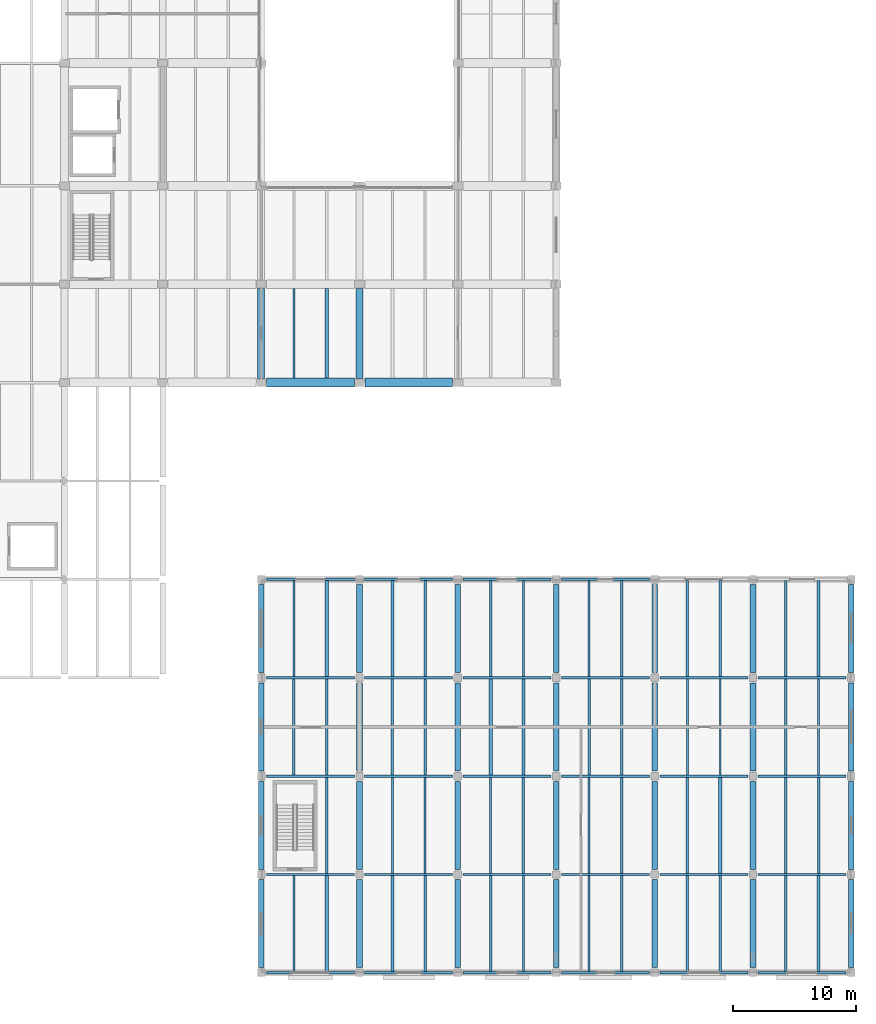
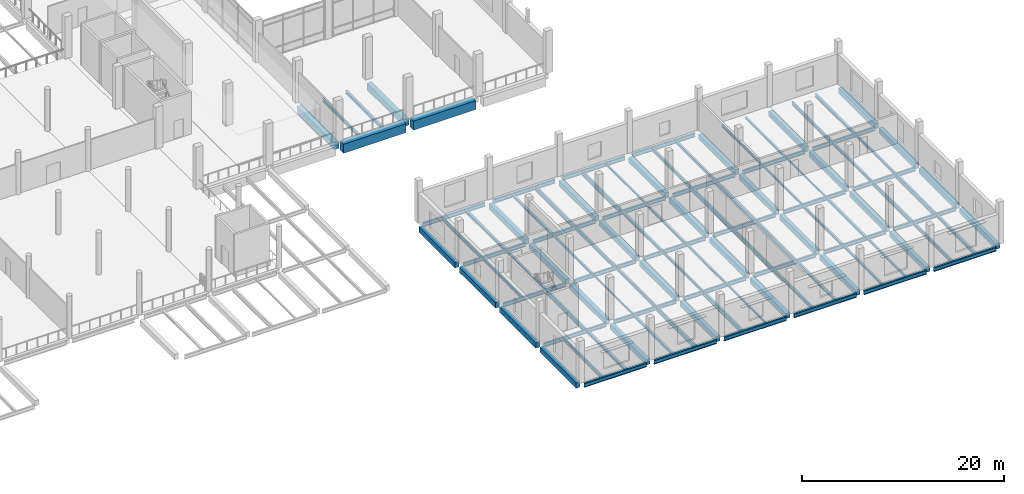
# One storey, part 21 of 61: 109 beams.
"""IFC4 building model written with IfcOpenShell, lengths in metres."""

import ifcopenshell
import ifcopenshell.guid

model = None  # the IFC model being written
_history = None  # IfcOwnerHistory: only IFC2X3 demands one
_inside = {}  # id of a spatial element -> (the spatial element, [elements in it])
_under = {}  # id of a project, library or spatial element -> (it, [spatial elements below it])
_declared = {}  # id of a project -> (the project, [libraries it declares])
_typed = {}  # id of a type object -> (the type object, [elements of that type])
_made_of = {}  # id of a material, layer set ... -> (it, [elements and type objects made of it])


def new_model(schema):
    """Start an empty IFC model of exactly this schema.

    Asked for "IFC4X3", IfcOpenShell would pick the latest addendum, in which some entities
    have other attributes; the version numbers below select the first issue.
    IFC2X3 requires an IfcOwnerHistory on every rooted entity: one is made here for all.
    """
    global model, _history
    if schema == "IFC4X3":
        model = ifcopenshell.file(schema_version=(4, 3, 0, 0))
    else:
        model = ifcopenshell.file(schema=schema)
    _inside.clear()
    _under.clear()
    _declared.clear()
    _typed.clear()
    _made_of.clear()
    _history = None
    if model.schema == "IFC2X3":
        org = make("IfcOrganization", Name="unknown")
        user = make(
            "IfcPersonAndOrganization",
            ThePerson=make("IfcPerson", FamilyName="unknown"),
            TheOrganization=org,
        )
        app = make(
            "IfcApplication",
            ApplicationDeveloper=org,
            Version="unknown",
            ApplicationFullName="unknown",
            ApplicationIdentifier="unknown",
        )
        _history = make(
            "IfcOwnerHistory",
            OwningUser=user,
            OwningApplication=app,
            ChangeAction="ADDED",
            CreationDate=0,
        )
    return model


def make(cls, **values):
    """One entity of the class cls with the attributes given. An attribute that is None is left unset."""
    return model.create_entity(
        cls, **{name: value for name, value in values.items() if value is not None}
    )


def rooted(cls, **values):
    """An entity with a GlobalId (a new one), such as an element, a storey or a relation."""
    return make(cls, GlobalId=ifcopenshell.guid.new(), OwnerHistory=_history, **values)


def si_unit(unit_type, name, prefix=None):
    """IfcSIUnit, for example si_unit("LENGTHUNIT", "METRE", prefix="MILLI")."""
    return make("IfcSIUnit", UnitType=unit_type, Prefix=prefix, Name=name)


def assignment(units):
    """IfcUnitAssignment: the units of a project."""
    return None if units is None else make("IfcUnitAssignment", Units=units)


def point(xyz):
    """IfcCartesianPoint."""
    return None if xyz is None else make("IfcCartesianPoint", Coordinates=xyz)


def direction(xyz):
    """IfcDirection."""
    return None if xyz is None else make("IfcDirection", DirectionRatios=xyz)


def frame(location, z_axis=None, x_axis=None):
    """IfcAxis2Placement3D, a coordinate frame: its origin and axes. An axis left out is left unset."""
    return make(
        "IfcAxis2Placement3D",
        Location=point(location),
        Axis=direction(z_axis),
        RefDirection=direction(x_axis),
    )


def frame_2d(location, x_axis=None):
    """IfcAxis2Placement2D, a coordinate frame in the plane: its origin and x axis."""
    return make(
        "IfcAxis2Placement2D", Location=point(location), RefDirection=direction(x_axis)
    )


def origin():
    """The frame at (0, 0, 0) with its axes left unset."""
    return frame((0.0, 0.0, 0.0))


def origin_2d():
    """The frame at (0, 0) in the plane with its x axis left unset."""
    return frame_2d((0.0, 0.0))


def place(relative_to, where):
    """IfcLocalPlacement: puts the frame where relative to a parent placement (None: the world)."""
    return make(
        "IfcLocalPlacement", PlacementRelTo=relative_to, RelativePlacement=where
    )


def context(
    kind, dimensions, precision=None, world=None, true_north=None, identifier=None
):
    """IfcGeometricRepresentationContext, for example the 3D "Model" context."""
    return make(
        "IfcGeometricRepresentationContext",
        ContextIdentifier=identifier,
        ContextType=kind,
        CoordinateSpaceDimension=dimensions,
        Precision=precision,
        WorldCoordinateSystem=world,
        TrueNorth=true_north,
    )


def subcontext(parent, identifier, kind, view, scale=None):
    """IfcGeometricRepresentationSubContext, for example "Body" below "Model"."""
    return make(
        "IfcGeometricRepresentationSubContext",
        ContextIdentifier=identifier,
        ContextType=kind,
        ParentContext=parent,
        TargetScale=scale,
        TargetView=view,
    )


def project(units=None, contexts=None):
    """IfcProject with its units and contexts."""
    return rooted(
        "IfcProject",
        Name="project",
        RepresentationContexts=contexts,
        UnitsInContext=assignment(units),
    )


def spatial(cls, under=None, at=None, **own):
    """A site, building, storey or space (cls), placed at a placement, below another one or the project."""
    s = rooted(cls, ObjectPlacement=at, **own)
    if under is not None:
        _under.setdefault(under.id(), (under, []))[1].append(s)
    return s


def profile(cls, at=None, kind="AREA", **sizes):
    """A parametric profile (cls). Its sizes go by their IFC names, for example OverallWidth=200.0."""
    return make(cls, ProfileType=kind, Position=at, **sizes)


def rectangle(**sizes):
    """IfcRectangleProfileDef."""
    return profile("IfcRectangleProfileDef", **sizes)


def i_section(**sizes):
    """IfcIShapeProfileDef."""
    return profile("IfcIShapeProfileDef", **sizes)


def extrude(swept, where, along, depth):
    """IfcExtrudedAreaSolid: the profile swept, set in the frame where, extruded along a direction by depth."""
    return make(
        "IfcExtrudedAreaSolid",
        SweptArea=swept,
        Position=where,
        ExtrudedDirection=direction(along),
        Depth=depth,
    )


def shape(context_of_items, identifier, shape_type, items):
    """IfcShapeRepresentation: the items that make up one representation, for example the "Body"."""
    return make(
        "IfcShapeRepresentation",
        ContextOfItems=context_of_items,
        RepresentationIdentifier=identifier,
        RepresentationType=shape_type,
        Items=items,
    )


def material(Name=None, Category=None):
    """IfcMaterial."""
    return make("IfcMaterial", Name=Name, Category=Category)


def material_profile(
    of_material, cross_section, Name=None, Category=None, Priority=None
):
    """IfcMaterialProfile: a cross section and its material."""
    return make(
        "IfcMaterialProfile",
        Name=Name,
        Material=of_material,
        Profile=cross_section,
        Priority=Priority,
        Category=Category,
    )


def profile_set(profiles, Name=None, composite=None):
    """IfcMaterialProfileSet."""
    return make(
        "IfcMaterialProfileSet",
        Name=Name,
        MaterialProfiles=profiles,
        CompositeProfile=composite,
    )


def made_of(thing, what):
    """Note that an element or type object is made of a material, layer set ...; save() writes the relation."""
    if what is not None:
        _made_of.setdefault(what.id(), (what, []))[1].append(thing)
    return thing


def type_object(cls, material=None, **own):
    """A type object (cls), such as IfcWallType, which elements share."""
    return made_of(rooted(cls, **own), material)


def element(
    cls,
    number,
    at=None,
    inside=None,
    cuts=None,
    type_object=None,
    material=None,
    context=None,
    identifier="Body",
    shape_type=None,
    held_by="IfcProductDefinitionShape",
    body=None,
    shapes=None,
    **own,
):
    """One element of the class cls, such as IfcWall. Its Tag is "e" and its number.

    at: its placement. inside: the storey or other place that contains it. cuts: it is an
    opening in that element (IfcRelVoidsElement). A single representation is given by context,
    identifier, shape_type and body (its items); several are given by shapes. held_by: the class
    of the entity that holds the representations. save() writes the other relations.
    """
    e = rooted(cls, Tag="e%d" % number, ObjectPlacement=at, **own)
    if body is not None:
        shapes = [shape(context, identifier, shape_type, body)]
    if shapes is not None:
        e.Representation = make(held_by, Representations=shapes)
    if inside is not None:
        _inside.setdefault(inside.id(), (inside, []))[1].append(e)
    if cuts is not None:
        rooted(
            "IfcRelVoidsElement", RelatingBuildingElement=cuts, RelatedOpeningElement=e
        )
    if type_object is not None:
        _typed.setdefault(type_object.id(), (type_object, []))[1].append(e)
    return made_of(e, material)


def aggregate(whole, parts):
    """IfcRelAggregates: a whole, such as a stair, and the parts it consists of."""
    return rooted("IfcRelAggregates", RelatingObject=whole, RelatedObjects=parts)


def save(model, path):
    """Write the relations noted so far, then the file.

    IfcRelAggregates (storeys below a building ...), IfcRelContainedInSpatialStructure (elements
    in a storey), IfcRelDefinesByType, IfcRelAssociatesMaterial and IfcRelDeclares: one each for
    every whole, place, type object, material and project.
    """
    for whole, parts in _under.values():
        aggregate(whole, parts)
    for where, things in _inside.values():
        rooted(
            "IfcRelContainedInSpatialStructure",
            RelatedElements=things,
            RelatingStructure=where,
        )
    for kind, things in _typed.values():
        rooted("IfcRelDefinesByType", RelatedObjects=things, RelatingType=kind)
    for what, things in _made_of.values():
        rooted("IfcRelAssociatesMaterial", RelatedObjects=things, RelatingMaterial=what)
    for by, libraries in _declared.values():
        rooted("IfcRelDeclares", RelatingContext=by, RelatedDefinitions=libraries)
    model.write(path)


model = new_model("IFC4")

# Units and contexts
model_context = context("Model", 3, precision=1e-05, world=origin(), true_north=direction((0.0, 1.0)))
body_context = subcontext(model_context, "Body", "Model", "MODEL_VIEW")
ifc_project = project(units=[si_unit("LENGTHUNIT", "METRE"), si_unit("AREAUNIT", "SQUARE_METRE"), si_unit("VOLUMEUNIT", "CUBIC_METRE"), si_unit("PLANEANGLEUNIT", "RADIAN"), si_unit("MASSUNIT", "GRAM", prefix="KILO")], contexts=[model_context])

# Site, building, storey
site_placement = place(None, origin())
site = spatial("IfcSite", under=ifc_project, at=site_placement, CompositionType="ELEMENT")
building_placement = place(site_placement, origin())
building = spatial("IfcBuilding", under=site, at=building_placement, Name="Pecanmere Concourse Central Library", CompositionType="ELEMENT")
storey_placement = place(building_placement, frame((0.0, 0.0, 5.39990234375)))
storey = spatial("IfcBuildingStorey", under=building, at=storey_placement, Name="L02", CompositionType="ELEMENT", Elevation=5.39990234375)

# Beams
ifc_material_1 = material(Name="Concrete C40/50", Category="concrete")
ifc_material_profile_1 = material_profile(ifc_material_1, rectangle(XDim=0.4599609375, YDim=0.64990234375, at=origin_2d()), Name="RC 460x650")
ifc_profile_set_1 = profile_set([ifc_material_profile_1], Name="Concrete C40/50")
beam_type_1 = type_object("IfcBeamType", Name="GRD_460x650", PredefinedType="USERDEFINED", material=ifc_profile_set_1)
for number, where, z_axis, x_axis, name in (
    (1, (128.0, 0.419921875, -0.69482421875), (0.0, 1.0, 0.0), (-1.0, 0.0, 0.0), "Primary Girder Y L02-1106"),
    (2, (128.0, 8.419921875, -0.69482421875), (0.0, 1.0, 0.0), (-1.0, 0.0, 0.0), "Primary Girder Y L02-1107"),
    (3, (128.0, 16.419921875, -0.69482421875), (0.0, 1.0, 0.0), (-1.0, 0.0, 0.0), "Primary Girder Y L02-1108"),
    (4, (128.0, 24.419921875, -0.69482421875), (0.0, 1.0, 0.0), (-1.0, 0.0, 0.0), "Primary Girder Y L02-1109"),
    (5, (136.0, 0.419921875, -0.69482421875), (0.0, 1.0, 0.0), (-1.0, 0.0, 0.0), "Primary Girder Y L02-1117"),
    (6, (136.0, 8.419921875, -0.69482421875), (0.0, 1.0, 0.0), (-1.0, 0.0, 0.0), "Primary Girder Y L02-1118"),
    (7, (136.0, 16.419921875, -0.69482421875), (0.0, 1.0, 0.0), (-1.0, 0.0, 0.0), "Primary Girder Y L02-1119"),
    (8, (136.0, 24.419921875, -0.69482421875), (0.0, 1.0, 0.0), (-1.0, 0.0, 0.0), "Primary Girder Y L02-1120"),
    (9, (144.0, 0.419921875, -0.69482421875), (0.0, 1.0, 0.0), (-1.0, 0.0, 0.0), "Primary Girder Y L02-1125"),
    (10, (144.0, 8.419921875, -0.69482421875), (0.0, 1.0, 0.0), (-1.0, 0.0, 0.0), "Primary Girder Y L02-1126"),
    (11, (144.0, 16.419921875, -0.69482421875), (0.0, 1.0, 0.0), (-1.0, 0.0, 0.0), "Primary Girder Y L02-1127"),
    (12, (144.0, 24.419921875, -0.69482421875), (0.0, 1.0, 0.0), (-1.0, 0.0, 0.0), "Primary Girder Y L02-1128"),
    (13, (152.0, 0.419921875, -0.69482421875), (0.0, 1.0, 0.0), (-1.0, 0.0, 0.0), "Primary Girder Y L02-1136"),
    (14, (152.0, 8.419921875, -0.69482421875), (0.0, 1.0, 0.0), (-1.0, 0.0, 0.0), "Primary Girder Y L02-1137"),
    (15, (152.0, 16.419921875, -0.69482421875), (0.0, 1.0, 0.0), (-1.0, 0.0, 0.0), "Primary Girder Y L02-1138"),
    (16, (152.0, 24.419921875, -0.69482421875), (0.0, 1.0, 0.0), (-1.0, 0.0, 0.0), "Primary Girder Y L02-1139"),
    (17, (160.0, 0.419921875, -0.69482421875), (0.0, 1.0, 0.0), (-1.0, 0.0, 0.0), "Primary Girder Y L02-1147"),
    (18, (160.0, 8.419921875, -0.69482421875), (0.0, 1.0, 0.0), (-1.0, 0.0, 0.0), "Primary Girder Y L02-1148"),
    (19, (160.0, 16.419921875, -0.69482421875), (0.0, 1.0, 0.0), (-1.0, 0.0, 0.0), "Primary Girder Y L02-1149"),
    (20, (160.0, 24.419921875, -0.69482421875), (0.0, 1.0, 0.0), (-1.0, 0.0, 0.0), "Primary Girder Y L02-1150"),
    (21, (168.0, 0.419921875, -0.69482421875), (0.0, 1.0, 0.0), (-1.0, 0.0, 0.0), "Primary Girder Y L02-1151"),
    (22, (168.0, 8.419921875, -0.69482421875), (0.0, 1.0, 0.0), (-1.0, 0.0, 0.0), "Primary Girder Y L02-1152"),
    (23, (168.0, 16.419921875, -0.69482421875), (0.0, 1.0, 0.0), (-1.0, 0.0, 0.0), "Primary Girder Y L02-1153"),
    (24, (168.0, 24.419921875, -0.69482421875), (0.0, 1.0, 0.0), (-1.0, 0.0, 0.0), "Primary Girder Y L02-1154"),
    (25, (176.0, 0.419921875, -0.69482421875), (0.0, 1.0, 0.0), (-1.0, 0.0, 0.0), "Primary Girder Y L02-1155"),
    (26, (176.0, 8.419921875, -0.69482421875), (0.0, 1.0, 0.0), (-1.0, 0.0, 0.0), "Primary Girder Y L02-1156"),
    (27, (176.0, 16.419921875, -0.69482421875), (0.0, 1.0, 0.0), (-1.0, 0.0, 0.0), "Primary Girder Y L02-1157"),
    (28, (176.0, 24.419921875, -0.69482421875), (0.0, 1.0, 0.0), (-1.0, 0.0, 0.0), "Primary Girder Y L02-1158"),
):
    element("IfcBeam", number, at=place(storey_placement, frame(where, z_axis=z_axis, x_axis=x_axis)), inside=storey, type_object=beam_type_1, Name=name, ObjectType="GIRDER", PredefinedType="USERDEFINED", context=body_context, shape_type="SweptSolid", body=[
        extrude(rectangle(XDim=0.4599609375, YDim=0.64990234375, at=origin_2d()), origin(), (0.0, 0.0, 1.0), 7.16015625),
    ])
ifc_material_2 = material(Name="Concrete C40/50", Category="concrete")
ifc_material_profile_2 = material_profile(ifc_material_2, rectangle(XDim=0.56005859375, YDim=0.830078125, at=origin_2d()), Name="RC 560x830")
ifc_profile_set_2 = profile_set([ifc_material_profile_2], Name="Concrete C40/50")
beam_type_2 = type_object("IfcBeamType", Name="GRD_560x830", PredefinedType="USERDEFINED", material=ifc_profile_set_2)
for number, where, z_axis, x_axis, name in (
    (29, (128.0, 48.330078125, -0.784912109375), (0.0, 1.0, 0.0), (-1.0, 0.0, 0.0), "Primary Girder Y L02-1110"),
    (30, (136.0, 48.330078125, -0.784912109375), (0.0, 1.0, 0.0), (-1.0, 0.0, 0.0), "Primary Girder Y L02-1121"),
):
    element("IfcBeam", number, at=place(storey_placement, frame(where, z_axis=z_axis, x_axis=x_axis)), inside=storey, type_object=beam_type_2, Name=name, ObjectType="GIRDER", PredefinedType="USERDEFINED", context=body_context, shape_type="SweptSolid", body=[
        extrude(rectangle(XDim=0.56005859375, YDim=0.830078125, at=origin_2d()), origin(), (0.0, 0.0, 1.0), 7.33984375),
    ])
ifc_material_3 = material(Name="Concrete C40/50", Category="concrete")
ifc_material_profile_3 = material_profile(ifc_material_3, rectangle(XDim=0.719970703125, YDim=1.080078125, at=origin_2d()), Name="RC 720x1080")
ifc_profile_set_3 = profile_set([ifc_material_profile_3], Name="Concrete C40/50")
beam_type_3 = type_object("IfcBeamType", Name="GRD_720x1080", PredefinedType="USERDEFINED", material=ifc_profile_set_3)
for number, where, z_axis, x_axis, name in (
    (31, (128.429931640625, 48.0, -0.909912109375), (1.0, 0.0, 0.0), (0.0, 1.0, 0.0), "Primary Girder X L02-0850"),
    (32, (136.429931640625, 48.0, -0.909912109375), (1.0, 0.0, 0.0), (0.0, 1.0, 0.0), "Primary Girder X L02-0851"),
):
    element("IfcBeam", number, at=place(storey_placement, frame(where, z_axis=z_axis, x_axis=x_axis)), inside=storey, type_object=beam_type_3, Name=name, ObjectType="GIRDER", PredefinedType="USERDEFINED", context=body_context, shape_type="SweptSolid", body=[
        extrude(rectangle(XDim=0.719970703125, YDim=1.080078125, at=origin_2d()), origin(), (0.0, 0.0, 1.0), 7.14013671875),
    ])
ifc_material_4 = material(Name="Structural steel ASTM A992 Grade 50", Category="steel")
ifc_material_profile_4 = material_profile(ifc_material_4, i_section(OverallWidth=0.152099609375, OverallDepth=0.152099609375, WebThickness=0.005859375, FlangeThickness=0.006591796875, at=origin_2d()), Name="W150x22.5")
ifc_profile_set_4 = profile_set([ifc_material_profile_4], Name="Structural steel ASTM A992 Grade 50")
beam_type_4 = type_object("IfcBeamType", Name="SBM_W150x22", PredefinedType="LINTEL", material=ifc_profile_set_4)
for number, where, z_axis, x_axis, name in (
    (33, (138.666748046875, 8.096923828125, -0.44580078125), (0.0, 1.0, 0.0), (-1.0, 0.0, 0.0), "Secondary Floor Joist L02-1412"),
    (34, (165.333251953125, 16.096923828125, -0.44580078125), (0.0, 1.0, 0.0), (-1.0, 0.0, 0.0), "Secondary Floor Joist L02-1461"),
):
    element("IfcBeam", number, at=place(storey_placement, frame(where, z_axis=z_axis, x_axis=x_axis)), inside=storey, type_object=beam_type_4, Name=name, PredefinedType="LINTEL", context=body_context, shape_type="SweptSolid", body=[
        extrude(i_section(OverallWidth=0.152099609375, OverallDepth=0.152099609375, WebThickness=0.005859375, FlangeThickness=0.006591796875, at=origin_2d()), origin(), (0.0, 0.0, 1.0), 7.80615234375),
    ])
ifc_material_5 = material(Name="Structural steel ASTM A992 Grade 50", Category="steel")
ifc_material_profile_5 = material_profile(ifc_material_5, i_section(OverallWidth=0.1650390625, OverallDepth=0.200927734375, WebThickness=0.006103515625, FlangeThickness=0.01025390625, at=origin_2d()), Name="W200x35.9")
ifc_profile_set_5 = profile_set([ifc_material_profile_5], Name="Structural steel ASTM A992 Grade 50")
beam_type_5 = type_object("IfcBeamType", Name="SBM_W200x36", PredefinedType="LINTEL", material=ifc_profile_set_5)
for number, where, z_axis, x_axis, name in (
    (35, (149.333251953125, 0.096923828125, -0.470458984375), (0.0, 1.0, 0.0), (-1.0, 0.0, 0.0), "Secondary Floor Joist L02-1427"),
    (36, (149.333251953125, 24.096923828125, -0.470458984375), (0.0, 1.0, 0.0), (-1.0, 0.0, 0.0), "Secondary Floor Joist L02-1433"),
    (37, (162.666748046875, 16.096923828125, -0.470458984375), (0.0, 1.0, 0.0), (-1.0, 0.0, 0.0), "Secondary Floor Joist L02-1460"),
):
    element("IfcBeam", number, at=place(storey_placement, frame(where, z_axis=z_axis, x_axis=x_axis)), inside=storey, type_object=beam_type_5, Name=name, PredefinedType="LINTEL", context=body_context, shape_type="SweptSolid", body=[
        extrude(i_section(OverallWidth=0.1650390625, OverallDepth=0.200927734375, WebThickness=0.006103515625, FlangeThickness=0.01025390625, at=origin_2d()), origin(), (0.0, 0.0, 1.0), 7.80615234375),
    ])
ifc_material_6 = material(Name="Structural steel ASTM A992 Grade 50", Category="steel")
ifc_material_profile_6 = material_profile(ifc_material_6, i_section(OverallWidth=0.2041015625, OverallDepth=0.2060546875, WebThickness=0.0078125, FlangeThickness=0.0126953125, at=origin_2d()), Name="W200x52")
ifc_profile_set_6 = profile_set([ifc_material_profile_6], Name="Structural steel ASTM A992 Grade 50")
beam_type_6 = type_object("IfcBeamType", Name="SBM_W200x52", PredefinedType="JOIST", material=ifc_profile_set_6)
for number, where, z_axis, x_axis, name in (
    (38, (138.666748046875, 16.096923828125, -0.472900390625), (0.0, 1.0, 0.0), (-1.0, 0.0, 0.0), "Secondary Floor Joist L02-1414"),
    (39, (165.333251953125, 0.096923828125, -0.472900390625), (0.0, 1.0, 0.0), (-1.0, 0.0, 0.0), "Secondary Floor Joist L02-1457"),
    (40, (165.333251953125, 24.096923828125, -0.472900390625), (0.0, 1.0, 0.0), (-1.0, 0.0, 0.0), "Secondary Floor Joist L02-1463"),
):
    element("IfcBeam", number, at=place(storey_placement, frame(where, z_axis=z_axis, x_axis=x_axis)), inside=storey, type_object=beam_type_6, Name=name, PredefinedType="JOIST", context=body_context, shape_type="SweptSolid", body=[
        extrude(i_section(OverallWidth=0.2041015625, OverallDepth=0.2060546875, WebThickness=0.0078125, FlangeThickness=0.0126953125, at=origin_2d()), origin(), (0.0, 0.0, 1.0), 7.80615234375),
    ])
ifc_material_7 = material(Name="Structural steel ASTM A992 Grade 50", Category="steel")
ifc_material_profile_7 = material_profile(ifc_material_7, i_section(OverallWidth=0.201904296875, OverallDepth=0.2470703125, WebThickness=0.00732421875, FlangeThickness=0.010986328125, at=origin_2d()), Name="W250x49.1")
ifc_profile_set_7 = profile_set([ifc_material_profile_7], Name="Structural steel ASTM A992 Grade 50")
beam_type_7 = type_object("IfcBeamType", Name="SBM_W250x49", PredefinedType="JOIST", material=ifc_profile_set_7)
for number, where, z_axis, x_axis, name in (
    (41, (149.333251953125, 8.096923828125, -0.493408203125), (0.0, 1.0, 0.0), (-1.0, 0.0, 0.0), "Secondary Floor Joist L02-1429"),
    (42, (162.666748046875, 0.096923828125, -0.493408203125), (0.0, 1.0, 0.0), (-1.0, 0.0, 0.0), "Secondary Floor Joist L02-1456"),
    (43, (162.666748046875, 24.096923828125, -0.493408203125), (0.0, 1.0, 0.0), (-1.0, 0.0, 0.0), "Secondary Floor Joist L02-1462"),
):
    element("IfcBeam", number, at=place(storey_placement, frame(where, z_axis=z_axis, x_axis=x_axis)), inside=storey, type_object=beam_type_7, Name=name, PredefinedType="JOIST", context=body_context, shape_type="SweptSolid", body=[
        extrude(i_section(OverallWidth=0.201904296875, OverallDepth=0.2470703125, WebThickness=0.00732421875, FlangeThickness=0.010986328125, at=origin_2d()), origin(), (0.0, 0.0, 1.0), 7.80615234375),
    ])
ifc_material_8 = material(Name="Structural steel ASTM A992 Grade 50", Category="steel")
ifc_material_profile_8 = material_profile(ifc_material_8, i_section(OverallWidth=0.25390625, OverallDepth=0.2529296875, WebThickness=0.008544921875, FlangeThickness=0.01416015625, at=origin_2d()), Name="W250x73")
ifc_profile_set_8 = profile_set([ifc_material_profile_8], Name="Structural steel ASTM A992 Grade 50")
beam_type_8 = type_object("IfcBeamType", Name="SBM_W250x73", PredefinedType="BEAM", material=ifc_profile_set_8)
for number, where, z_axis, x_axis, name in (
    (44, (138.666748046875, 0.096923828125, -0.496337890625), (0.0, 1.0, 0.0), (-1.0, 0.0, 0.0), "Secondary Floor Joist L02-1410"),
    (45, (138.666748046875, 24.096923828125, -0.496337890625), (0.0, 1.0, 0.0), (-1.0, 0.0, 0.0), "Secondary Floor Joist L02-1416"),
    (46, (165.333251953125, 8.096923828125, -0.496337890625), (0.0, 1.0, 0.0), (-1.0, 0.0, 0.0), "Secondary Floor Joist L02-1459"),
):
    element("IfcBeam", number, at=place(storey_placement, frame(where, z_axis=z_axis, x_axis=x_axis)), inside=storey, type_object=beam_type_8, Name=name, PredefinedType="BEAM", context=body_context, shape_type="SweptSolid", body=[
        extrude(i_section(OverallWidth=0.25390625, OverallDepth=0.2529296875, WebThickness=0.008544921875, FlangeThickness=0.01416015625, at=origin_2d()), origin(), (0.0, 0.0, 1.0), 7.80615234375),
    ])
ifc_material_9 = material(Name="Structural steel ASTM A992 Grade 50", Category="steel")
ifc_material_profile_9 = material_profile(ifc_material_9, i_section(OverallWidth=0.1669921875, OverallDepth=0.31689453125, WebThickness=0.007568359375, FlangeThickness=0.01318359375, at=origin_2d()), Name="W310x52")
ifc_profile_set_9 = profile_set([ifc_material_profile_9], Name="Structural steel ASTM A992 Grade 50")
beam_type_9 = type_object("IfcBeamType", Name="SBM_W310x52", PredefinedType="JOIST", material=ifc_profile_set_9)
for number, where, z_axis, x_axis, name in (
    (47, (133.333251953125, 16.096923828125, -0.5283203125), (0.0, 1.0, 0.0), (-1.0, 0.0, 0.0), "Secondary Floor Joist L02-1399"),
    (48, (146.666748046875, 8.096923828125, -0.5283203125), (0.0, 1.0, 0.0), (-1.0, 0.0, 0.0), "Secondary Floor Joist L02-1428"),
    (49, (173.333251953125, 16.096923828125, -0.5283203125), (0.0, 1.0, 0.0), (-1.0, 0.0, 0.0), "Secondary Floor Joist L02-1469"),
):
    element("IfcBeam", number, at=place(storey_placement, frame(where, z_axis=z_axis, x_axis=x_axis)), inside=storey, type_object=beam_type_9, Name=name, PredefinedType="JOIST", context=body_context, shape_type="SweptSolid", body=[
        extrude(i_section(OverallWidth=0.1669921875, OverallDepth=0.31689453125, WebThickness=0.007568359375, FlangeThickness=0.01318359375, at=origin_2d()), origin(), (0.0, 0.0, 1.0), 7.80615234375),
    ])
ifc_material_10 = material(Name="Structural steel ASTM A992 Grade 50", Category="steel")
ifc_material_profile_10 = material_profile(ifc_material_10, i_section(OverallWidth=0.205078125, OverallDepth=0.31005859375, WebThickness=0.009521484375, FlangeThickness=0.016357421875, at=origin_2d()), Name="W310x74")
ifc_profile_set_10 = profile_set([ifc_material_profile_10], Name="Structural steel ASTM A992 Grade 50")
beam_type_10 = type_object("IfcBeamType", Name="SBM_W310x74", PredefinedType="BEAM", material=ifc_profile_set_10)
for number, where, z_axis, x_axis, name in (
    (50, (149.333251953125, 16.096923828125, -0.52490234375), (0.0, 1.0, 0.0), (-1.0, 0.0, 0.0), "Secondary Floor Joist L02-1431"),
    (51, (162.666748046875, 8.096923828125, -0.52490234375), (0.0, 1.0, 0.0), (-1.0, 0.0, 0.0), "Secondary Floor Joist L02-1458"),
):
    element("IfcBeam", number, at=place(storey_placement, frame(where, z_axis=z_axis, x_axis=x_axis)), inside=storey, type_object=beam_type_10, Name=name, PredefinedType="BEAM", context=body_context, shape_type="SweptSolid", body=[
        extrude(i_section(OverallWidth=0.205078125, OverallDepth=0.31005859375, WebThickness=0.009521484375, FlangeThickness=0.016357421875, at=origin_2d()), origin(), (0.0, 0.0, 1.0), 7.80615234375),
    ])
ifc_material_11 = material(Name="Structural steel ASTM A992 Grade 50", Category="steel")
ifc_material_profile_11 = material_profile(ifc_material_11, i_section(OverallWidth=0.202880859375, OverallDepth=0.346923828125, WebThickness=0.0078125, FlangeThickness=0.013427734375, at=origin_2d()), Name="W360x64")
ifc_profile_set_11 = profile_set([ifc_material_profile_11], Name="Structural steel ASTM A992 Grade 50")
beam_type_11 = type_object("IfcBeamType", Name="SBM_W360x64", PredefinedType="JOIST", material=ifc_profile_set_11)
for number, where, z_axis, x_axis, name in (
    (52, (130.666748046875, 16.096923828125, -0.54345703125), (0.0, 1.0, 0.0), (-1.0, 0.0, 0.0), "Secondary Floor Joist L02-1398"),
    (53, (157.333251953125, 0.096923828125, -0.54345703125), (0.0, 1.0, 0.0), (-1.0, 0.0, 0.0), "Secondary Floor Joist L02-1449"),
    (54, (157.333251953125, 24.096923828125, -0.54345703125), (0.0, 1.0, 0.0), (-1.0, 0.0, 0.0), "Secondary Floor Joist L02-1455"),
    (55, (170.666748046875, 16.096923828125, -0.54345703125), (0.0, 1.0, 0.0), (-1.0, 0.0, 0.0), "Secondary Floor Joist L02-1468"),
):
    element("IfcBeam", number, at=place(storey_placement, frame(where, z_axis=z_axis, x_axis=x_axis)), inside=storey, type_object=beam_type_11, Name=name, PredefinedType="JOIST", context=body_context, shape_type="SweptSolid", body=[
        extrude(i_section(OverallWidth=0.202880859375, OverallDepth=0.346923828125, WebThickness=0.0078125, FlangeThickness=0.013427734375, at=origin_2d()), origin(), (0.0, 0.0, 1.0), 7.80615234375),
    ])
ifc_material_12 = material(Name="Structural steel ASTM A992 Grade 50", Category="steel")
ifc_material_profile_12 = material_profile(ifc_material_12, i_section(OverallWidth=0.25390625, OverallDepth=0.35302734375, WebThickness=0.009521484375, FlangeThickness=0.016357421875, at=origin_2d()), Name="W360x91")
ifc_profile_set_12 = profile_set([ifc_material_profile_12], Name="Structural steel ASTM A992 Grade 50")
beam_type_12 = type_object("IfcBeamType", Name="SBM_W360x91", PredefinedType="BEAM", material=ifc_profile_set_12)
for number, where, z_axis, x_axis, name in (
    (56, (133.333251953125, 0.096923828125, -0.54638671875), (0.0, 1.0, 0.0), (-1.0, 0.0, 0.0), "Secondary Floor Joist L02-1396"),
    (57, (133.333251953125, 24.096923828125, -0.54638671875), (0.0, 1.0, 0.0), (-1.0, 0.0, 0.0), "Secondary Floor Joist L02-1401"),
):
    element("IfcBeam", number, at=place(storey_placement, frame(where, z_axis=z_axis, x_axis=x_axis)), inside=storey, type_object=beam_type_12, Name=name, PredefinedType="BEAM", context=body_context, shape_type="SweptSolid", body=[
        extrude(i_section(OverallWidth=0.25390625, OverallDepth=0.35302734375, WebThickness=0.009521484375, FlangeThickness=0.016357421875, at=origin_2d()), origin(), (0.0, 0.0, 1.0), 7.80615234375),
    ])
beam_1_placement = place(storey_placement, frame((133.333251953125, 48.360107421875, -0.54638671875), z_axis=(0.0, 1.0, 0.0), x_axis=(-1.0, 0.0, 0.0)))
element("IfcBeam", 58, at=beam_1_placement, inside=storey, type_object=beam_type_12, Name="Secondary Floor Joist L02-1403", PredefinedType="BEAM", context=body_context, shape_type="SweptSolid", body=[
    extrude(i_section(OverallWidth=0.25390625, OverallDepth=0.35302734375, WebThickness=0.009521484375, FlangeThickness=0.016357421875, at=origin_2d()), origin(), (0.0, 0.0, 1.0), 7.27978515625),
])
for number, where, z_axis, x_axis, name in (
    (59, (146.666748046875, 16.096923828125, -0.54638671875), (0.0, 1.0, 0.0), (-1.0, 0.0, 0.0), "Secondary Floor Joist L02-1430"),
    (60, (173.333251953125, 0.096923828125, -0.54638671875), (0.0, 1.0, 0.0), (-1.0, 0.0, 0.0), "Secondary Floor Joist L02-1465"),
    (61, (173.333251953125, 24.096923828125, -0.54638671875), (0.0, 1.0, 0.0), (-1.0, 0.0, 0.0), "Secondary Floor Joist L02-1471"),
):
    element("IfcBeam", number, at=place(storey_placement, frame(where, z_axis=z_axis, x_axis=x_axis)), inside=storey, type_object=beam_type_12, Name=name, PredefinedType="BEAM", context=body_context, shape_type="SweptSolid", body=[
        extrude(i_section(OverallWidth=0.25390625, OverallDepth=0.35302734375, WebThickness=0.009521484375, FlangeThickness=0.016357421875, at=origin_2d()), origin(), (0.0, 0.0, 1.0), 7.80615234375),
    ])
ifc_material_13 = material(Name="Structural steel ASTM A992 Grade 50", Category="steel")
ifc_material_profile_13 = material_profile(ifc_material_13, i_section(OverallWidth=0.177978515625, OverallDepth=0.406982421875, WebThickness=0.0078125, FlangeThickness=0.0126953125, at=origin_2d()), Name="W410x60")
ifc_profile_set_13 = profile_set([ifc_material_profile_13], Name="Structural steel ASTM A992 Grade 50")
beam_type_13 = type_object("IfcBeamType", Name="SBM_W410x60", PredefinedType="JOIST", material=ifc_profile_set_13)
for number, where, z_axis, x_axis, name in (
    (62, (141.333251953125, 8.096923828125, -0.573486328125), (0.0, 1.0, 0.0), (-1.0, 0.0, 0.0), "Secondary Floor Joist L02-1413"),
    (63, (154.666748046875, 0.096923828125, -0.573486328125), (0.0, 1.0, 0.0), (-1.0, 0.0, 0.0), "Secondary Floor Joist L02-1448"),
    (64, (154.666748046875, 24.096923828125, -0.573486328125), (0.0, 1.0, 0.0), (-1.0, 0.0, 0.0), "Secondary Floor Joist L02-1454"),
):
    element("IfcBeam", number, at=place(storey_placement, frame(where, z_axis=z_axis, x_axis=x_axis)), inside=storey, type_object=beam_type_13, Name=name, PredefinedType="JOIST", context=body_context, shape_type="SweptSolid", body=[
        extrude(i_section(OverallWidth=0.177978515625, OverallDepth=0.406982421875, WebThickness=0.0078125, FlangeThickness=0.0126953125, at=origin_2d()), origin(), (0.0, 0.0, 1.0), 7.80615234375),
    ])
ifc_material_14 = material(Name="Structural steel ASTM A992 Grade 50", Category="steel")
ifc_material_profile_14 = material_profile(ifc_material_14, i_section(OverallWidth=0.180908203125, OverallDepth=0.4169921875, WebThickness=0.010986328125, FlangeThickness=0.018310546875, at=origin_2d()), Name="W410x85")
ifc_profile_set_14 = profile_set([ifc_material_profile_14], Name="Structural steel ASTM A992 Grade 50")
beam_type_14 = type_object("IfcBeamType", Name="SBM_W410x85", PredefinedType="BEAM", material=ifc_profile_set_14)
for number, where, z_axis, x_axis, name in (
    (65, (130.666748046875, 0.096923828125, -0.578369140625), (0.0, 1.0, 0.0), (-1.0, 0.0, 0.0), "Secondary Floor Joist L02-1395"),
    (66, (130.666748046875, 24.096923828125, -0.578369140625), (0.0, 1.0, 0.0), (-1.0, 0.0, 0.0), "Secondary Floor Joist L02-1400"),
):
    element("IfcBeam", number, at=place(storey_placement, frame(where, z_axis=z_axis, x_axis=x_axis)), inside=storey, type_object=beam_type_14, Name=name, PredefinedType="BEAM", context=body_context, shape_type="SweptSolid", body=[
        extrude(i_section(OverallWidth=0.180908203125, OverallDepth=0.4169921875, WebThickness=0.010986328125, FlangeThickness=0.018310546875, at=origin_2d()), origin(), (0.0, 0.0, 1.0), 7.80615234375),
    ])
beam_2_placement = place(storey_placement, frame((130.666748046875, 48.360107421875, -0.578369140625), z_axis=(0.0, 1.0, 0.0), x_axis=(-1.0, 0.0, 0.0)))
element("IfcBeam", 67, at=beam_2_placement, inside=storey, type_object=beam_type_14, Name="Secondary Floor Joist L02-1402", PredefinedType="BEAM", context=body_context, shape_type="SweptSolid", body=[
    extrude(i_section(OverallWidth=0.180908203125, OverallDepth=0.4169921875, WebThickness=0.010986328125, FlangeThickness=0.018310546875, at=origin_2d()), origin(), (0.0, 0.0, 1.0), 7.27978515625),
])
for number, where, z_axis, x_axis, name in (
    (68, (157.333251953125, 8.096923828125, -0.578369140625), (0.0, 1.0, 0.0), (-1.0, 0.0, 0.0), "Secondary Floor Joist L02-1451"),
    (69, (170.666748046875, 0.096923828125, -0.578369140625), (0.0, 1.0, 0.0), (-1.0, 0.0, 0.0), "Secondary Floor Joist L02-1464"),
    (70, (170.666748046875, 24.096923828125, -0.578369140625), (0.0, 1.0, 0.0), (-1.0, 0.0, 0.0), "Secondary Floor Joist L02-1470"),
):
    element("IfcBeam", number, at=place(storey_placement, frame(where, z_axis=z_axis, x_axis=x_axis)), inside=storey, type_object=beam_type_14, Name=name, PredefinedType="BEAM", context=body_context, shape_type="SweptSolid", body=[
        extrude(i_section(OverallWidth=0.180908203125, OverallDepth=0.4169921875, WebThickness=0.010986328125, FlangeThickness=0.018310546875, at=origin_2d()), origin(), (0.0, 0.0, 1.0), 7.80615234375),
    ])
ifc_material_15 = material(Name="Structural steel ASTM A992 Grade 50", Category="steel")
ifc_material_profile_15 = material_profile(ifc_material_15, i_section(OverallWidth=0.194091796875, OverallDepth=0.468994140625, WebThickness=0.0126953125, FlangeThickness=0.0205078125, at=origin_2d()), Name="W460x106")
ifc_profile_set_15 = profile_set([ifc_material_profile_15], Name="Structural steel ASTM A992 Grade 50")
beam_type_15 = type_object("IfcBeamType", Name="SBM_W460x106", PredefinedType="USERDEFINED", material=ifc_profile_set_15)
for number, where, z_axis, x_axis, name in (
    (71, (128.419921875, 0.0, -0.6044921875), (1.0, 0.0, 0.0), (0.0, 1.0, 0.0), "Primary Girder X L02-0765"),
    (72, (136.419921875, 0.0, -0.6044921875), (1.0, 0.0, 0.0), (0.0, 1.0, 0.0), "Primary Girder X L02-0766"),
    (73, (144.419921875, 0.0, -0.6044921875), (1.0, 0.0, 0.0), (0.0, 1.0, 0.0), "Primary Girder X L02-0767"),
    (74, (152.419921875, 0.0, -0.6044921875), (1.0, 0.0, 0.0), (0.0, 1.0, 0.0), "Primary Girder X L02-0768"),
    (75, (160.419921875, 0.0, -0.6044921875), (1.0, 0.0, 0.0), (0.0, 1.0, 0.0), "Primary Girder X L02-0769"),
    (76, (168.419921875, 0.0, -0.6044921875), (1.0, 0.0, 0.0), (0.0, 1.0, 0.0), "Primary Girder X L02-0770"),
    (77, (128.419921875, 8.0, -0.6044921875), (1.0, 0.0, 0.0), (0.0, 1.0, 0.0), "Primary Girder X L02-0777"),
    (78, (136.419921875, 8.0, -0.6044921875), (1.0, 0.0, 0.0), (0.0, 1.0, 0.0), "Primary Girder X L02-0778"),
    (79, (144.419921875, 8.0, -0.6044921875), (1.0, 0.0, 0.0), (0.0, 1.0, 0.0), "Primary Girder X L02-0779"),
    (80, (152.419921875, 8.0, -0.6044921875), (1.0, 0.0, 0.0), (0.0, 1.0, 0.0), "Primary Girder X L02-0780"),
    (81, (160.419921875, 8.0, -0.6044921875), (1.0, 0.0, 0.0), (0.0, 1.0, 0.0), "Primary Girder X L02-0781"),
    (82, (168.419921875, 8.0, -0.6044921875), (1.0, 0.0, 0.0), (0.0, 1.0, 0.0), "Primary Girder X L02-0782"),
    (83, (128.419921875, 16.0, -0.6044921875), (1.0, 0.0, 0.0), (0.0, 1.0, 0.0), "Primary Girder X L02-0786"),
    (84, (136.419921875, 16.0, -0.6044921875), (1.0, 0.0, 0.0), (0.0, 1.0, 0.0), "Primary Girder X L02-0787"),
    (85, (144.419921875, 16.0, -0.6044921875), (1.0, 0.0, 0.0), (0.0, 1.0, 0.0), "Primary Girder X L02-0788"),
    (86, (152.419921875, 16.0, -0.6044921875), (1.0, 0.0, 0.0), (0.0, 1.0, 0.0), "Primary Girder X L02-0789"),
    (87, (160.419921875, 16.0, -0.6044921875), (1.0, 0.0, 0.0), (0.0, 1.0, 0.0), "Primary Girder X L02-0790"),
    (88, (168.419921875, 16.0, -0.6044921875), (1.0, 0.0, 0.0), (0.0, 1.0, 0.0), "Primary Girder X L02-0791"),
    (89, (128.419921875, 24.0, -0.6044921875), (1.0, 0.0, 0.0), (0.0, 1.0, 0.0), "Primary Girder X L02-0804"),
    (90, (136.419921875, 24.0, -0.6044921875), (1.0, 0.0, 0.0), (0.0, 1.0, 0.0), "Primary Girder X L02-0805"),
    (91, (144.419921875, 24.0, -0.6044921875), (1.0, 0.0, 0.0), (0.0, 1.0, 0.0), "Primary Girder X L02-0806"),
    (92, (152.419921875, 24.0, -0.6044921875), (1.0, 0.0, 0.0), (0.0, 1.0, 0.0), "Primary Girder X L02-0807"),
    (93, (160.419921875, 24.0, -0.6044921875), (1.0, 0.0, 0.0), (0.0, 1.0, 0.0), "Primary Girder X L02-0808"),
    (94, (168.419921875, 24.0, -0.6044921875), (1.0, 0.0, 0.0), (0.0, 1.0, 0.0), "Primary Girder X L02-0809"),
    (95, (128.419921875, 32.0, -0.6044921875), (1.0, 0.0, 0.0), (0.0, 1.0, 0.0), "Primary Girder X L02-0824"),
    (96, (136.419921875, 32.0, -0.6044921875), (1.0, 0.0, 0.0), (0.0, 1.0, 0.0), "Primary Girder X L02-0825"),
    (97, (144.419921875, 32.0, -0.6044921875), (1.0, 0.0, 0.0), (0.0, 1.0, 0.0), "Primary Girder X L02-0826"),
    (98, (152.419921875, 32.0, -0.6044921875), (1.0, 0.0, 0.0), (0.0, 1.0, 0.0), "Primary Girder X L02-0827"),
):
    element("IfcBeam", number, at=place(storey_placement, frame(where, z_axis=z_axis, x_axis=x_axis)), inside=storey, type_object=beam_type_15, Name=name, ObjectType="GIRDER", PredefinedType="USERDEFINED", context=body_context, shape_type="SweptSolid", body=[
        extrude(i_section(OverallWidth=0.194091796875, OverallDepth=0.468994140625, WebThickness=0.0126953125, FlangeThickness=0.0205078125, at=origin_2d()), origin(), (0.0, 0.0, 1.0), 7.16015625),
    ])
for number, where, z_axis, x_axis, name in (
    (99, (157.333251953125, 16.096923828125, -0.6044921875), (0.0, 1.0, 0.0), (-1.0, 0.0, 0.0), "Secondary Floor Joist L02-1453"),
    (100, (170.666748046875, 8.096923828125, -0.6044921875), (0.0, 1.0, 0.0), (-1.0, 0.0, 0.0), "Secondary Floor Joist L02-1466"),
):
    element("IfcBeam", number, at=place(storey_placement, frame(where, z_axis=z_axis, x_axis=x_axis)), inside=storey, type_object=beam_type_15, Name=name, ObjectType="GIRDER", PredefinedType="USERDEFINED", context=body_context, shape_type="SweptSolid", body=[
        extrude(i_section(OverallWidth=0.194091796875, OverallDepth=0.468994140625, WebThickness=0.0126953125, FlangeThickness=0.0205078125, at=origin_2d()), origin(), (0.0, 0.0, 1.0), 7.80615234375),
    ])
ifc_material_16 = material(Name="Structural steel ASTM A992 Grade 50", Category="steel")
ifc_material_profile_16 = material_profile(ifc_material_16, i_section(OverallWidth=0.18994140625, OverallDepth=0.45703125, WebThickness=0.009033203125, FlangeThickness=0.014404296875, at=origin_2d()), Name="W460x74")
ifc_profile_set_16 = profile_set([ifc_material_profile_16], Name="Structural steel ASTM A992 Grade 50")
beam_type_16 = type_object("IfcBeamType", Name="SBM_W460x74", PredefinedType="BEAM", material=ifc_profile_set_16)
for number, where, z_axis, x_axis, name in (
    (101, (141.333251953125, 16.096923828125, -0.598388671875), (0.0, 1.0, 0.0), (-1.0, 0.0, 0.0), "Secondary Floor Joist L02-1415"),
    (102, (154.666748046875, 8.096923828125, -0.598388671875), (0.0, 1.0, 0.0), (-1.0, 0.0, 0.0), "Secondary Floor Joist L02-1450"),
):
    element("IfcBeam", number, at=place(storey_placement, frame(where, z_axis=z_axis, x_axis=x_axis)), inside=storey, type_object=beam_type_16, Name=name, PredefinedType="BEAM", context=body_context, shape_type="SweptSolid", body=[
        extrude(i_section(OverallWidth=0.18994140625, OverallDepth=0.45703125, WebThickness=0.009033203125, FlangeThickness=0.014404296875, at=origin_2d()), origin(), (0.0, 0.0, 1.0), 7.80615234375),
    ])
ifc_material_17 = material(Name="Structural steel ASTM A992 Grade 50", Category="steel")
ifc_material_profile_17 = material_profile(ifc_material_17, i_section(OverallWidth=0.2109375, OverallDepth=0.5390625, WebThickness=0.01171875, FlangeThickness=0.018798828125, at=origin_2d()), Name="W530x109")
ifc_profile_set_17 = profile_set([ifc_material_profile_17], Name="Structural steel ASTM A992 Grade 50")
beam_type_17 = type_object("IfcBeamType", Name="SBM_W530x109", PredefinedType="USERDEFINED", material=ifc_profile_set_17)
for number, where, z_axis, x_axis, name in (
    (103, (133.333251953125, 8.096923828125, -0.639404296875), (0.0, 1.0, 0.0), (-1.0, 0.0, 0.0), "Secondary Floor Joist L02-1397"),
    (104, (146.666748046875, 0.096923828125, -0.639404296875), (0.0, 1.0, 0.0), (-1.0, 0.0, 0.0), "Secondary Floor Joist L02-1426"),
    (105, (146.666748046875, 24.096923828125, -0.639404296875), (0.0, 1.0, 0.0), (-1.0, 0.0, 0.0), "Secondary Floor Joist L02-1432"),
    (106, (173.333251953125, 8.096923828125, -0.639404296875), (0.0, 1.0, 0.0), (-1.0, 0.0, 0.0), "Secondary Floor Joist L02-1467"),
):
    element("IfcBeam", number, at=place(storey_placement, frame(where, z_axis=z_axis, x_axis=x_axis)), inside=storey, type_object=beam_type_17, Name=name, ObjectType="GIRDER", PredefinedType="USERDEFINED", context=body_context, shape_type="SweptSolid", body=[
        extrude(i_section(OverallWidth=0.2109375, OverallDepth=0.5390625, WebThickness=0.01171875, FlangeThickness=0.018798828125, at=origin_2d()), origin(), (0.0, 0.0, 1.0), 7.80615234375),
    ])
ifc_material_18 = material(Name="Structural steel ASTM A992 Grade 50", Category="steel")
ifc_material_profile_18 = material_profile(ifc_material_18, i_section(OverallWidth=0.208984375, OverallDepth=0.532958984375, WebThickness=0.01025390625, FlangeThickness=0.015625, at=origin_2d()), Name="W530x92")
ifc_profile_set_18 = profile_set([ifc_material_profile_18], Name="Structural steel ASTM A992 Grade 50")
beam_type_18 = type_object("IfcBeamType", Name="SBM_W530x92", PredefinedType="BEAM", material=ifc_profile_set_18)
for number, where, z_axis, x_axis, name in (
    (107, (141.333251953125, 0.096923828125, -0.636474609375), (0.0, 1.0, 0.0), (-1.0, 0.0, 0.0), "Secondary Floor Joist L02-1411"),
    (108, (141.333251953125, 24.096923828125, -0.636474609375), (0.0, 1.0, 0.0), (-1.0, 0.0, 0.0), "Secondary Floor Joist L02-1417"),
    (109, (154.666748046875, 16.096923828125, -0.636474609375), (0.0, 1.0, 0.0), (-1.0, 0.0, 0.0), "Secondary Floor Joist L02-1452"),
):
    element("IfcBeam", number, at=place(storey_placement, frame(where, z_axis=z_axis, x_axis=x_axis)), inside=storey, type_object=beam_type_18, Name=name, PredefinedType="BEAM", context=body_context, shape_type="SweptSolid", body=[
        extrude(i_section(OverallWidth=0.208984375, OverallDepth=0.532958984375, WebThickness=0.01025390625, FlangeThickness=0.015625, at=origin_2d()), origin(), (0.0, 0.0, 1.0), 7.80615234375),
    ])

save(model, "model.ifc")
